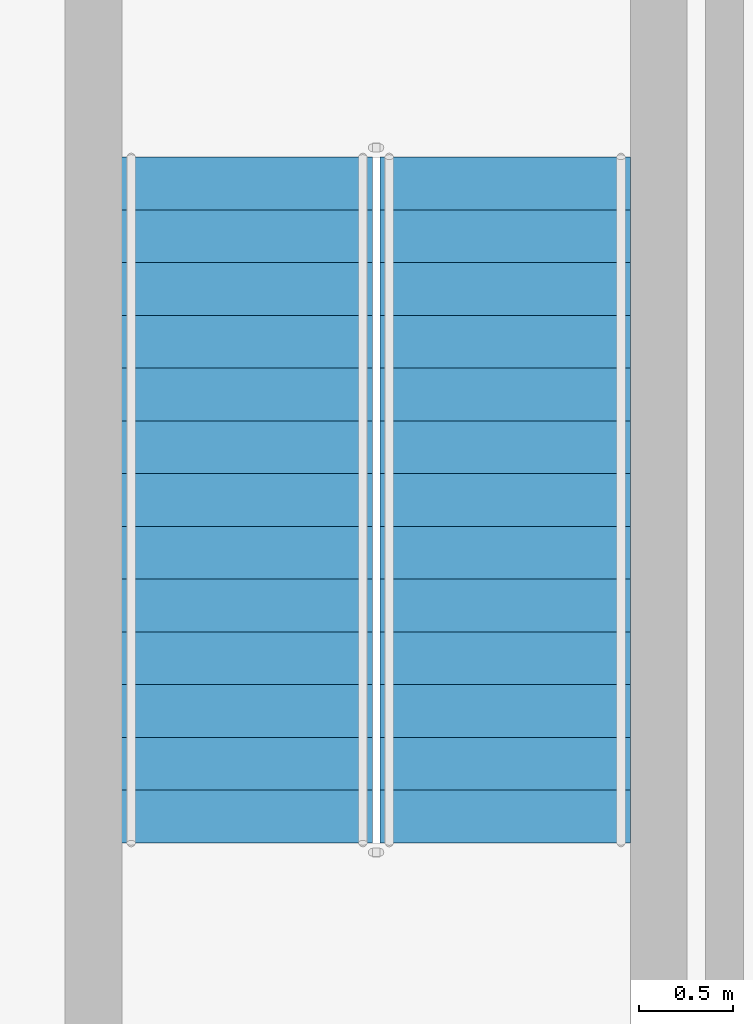
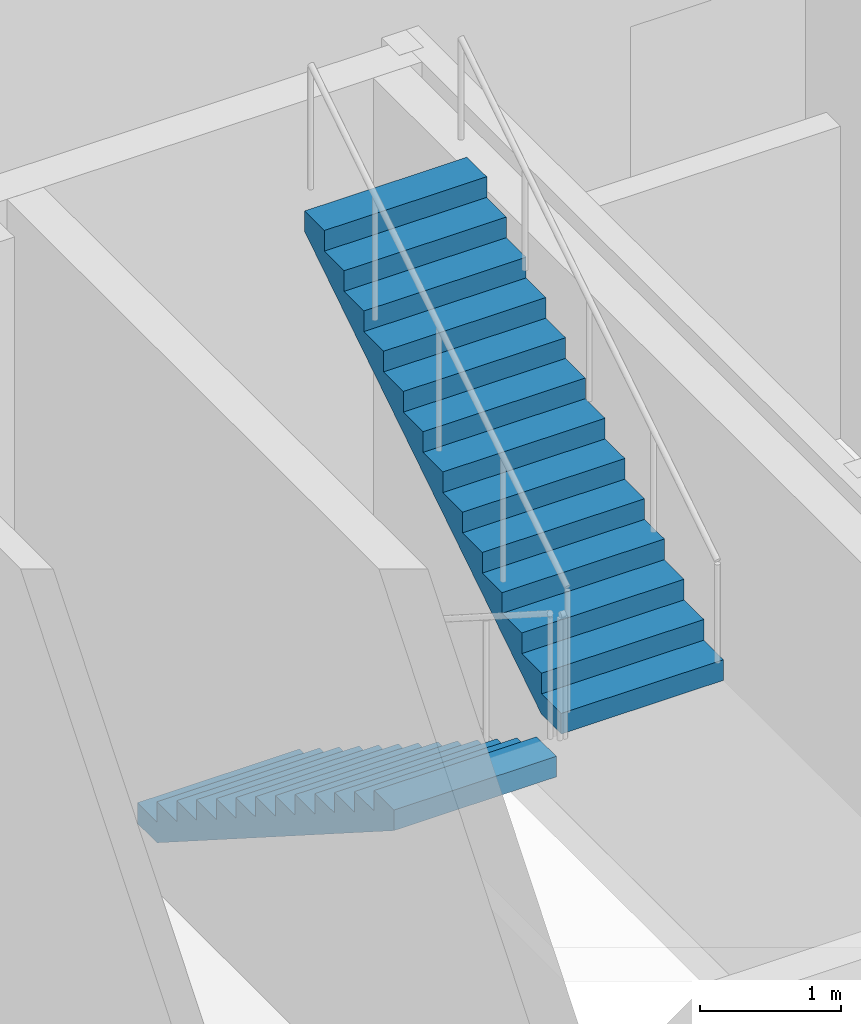
# One storey, part 19 of 33: 2 stair flights, 1 element without a shape of its own.
"""IFC4 building model written with IfcOpenShell, lengths in metres."""

from ifc_helpers import new_model, si_unit, direction, frame, origin, place, context, subcontext, project, spatial, triangles, source, transform, mapped, material, type_object, element, aggregate, save


model = new_model("IFC4")

# Units and contexts
model_context = context("Model", 3, precision=1e-05, world=origin(), true_north=direction((0.0, 1.0)))
body_context = subcontext(model_context, "Body", "Model", "MODEL_VIEW")
ifc_project = project(units=[si_unit("LENGTHUNIT", "METRE"), si_unit("AREAUNIT", "SQUARE_METRE"), si_unit("VOLUMEUNIT", "CUBIC_METRE"), si_unit("PLANEANGLEUNIT", "RADIAN"), si_unit("MASSUNIT", "GRAM", prefix="KILO")], contexts=[model_context])

# Site, building, storey
site_placement = place(None, origin())
site = spatial("IfcSite", under=ifc_project, at=site_placement, CompositionType="ELEMENT")
building_placement = place(site_placement, origin())
building = spatial("IfcBuilding", under=site, at=building_placement, Name="Ogive Portal Towers", CompositionType="ELEMENT")
storey_placement = place(building_placement, frame((0.0, 0.0, 28.5)))
storey = spatial("IfcBuildingStorey", under=building, at=storey_placement, Name="L05", CompositionType="ELEMENT", Elevation=28.5)

# Stair, stair flights
ifc_material = material(Name="Concrete C40/50", Category="concrete")
stair_type = type_object("IfcStairType", Name="INT-STAIR", PredefinedType="HALF_TURN_STAIR", material=ifc_material)
stair_placement = place(storey_placement, origin())
stair = element("IfcStair", 1, at=stair_placement, inside=storey, type_object=stair_type, Name="L05 Exit Stair ST-A4", PredefinedType="HALF_TURN_STAIR")
stair_flight_type = type_object("IfcStairFlightType", Name="INT-FLIGHT", PredefinedType="STRAIGHT", material=ifc_material)
shared_shape = source(origin(), body_context, "Body", "Tessellation", [
    triangles([(0.0, -0.6650390625, 0.0), (0.0, -0.384765625, 0.0), (0.0, -0.197021484375, 0.0), (0.0, -0.0830078125, 0.0), (0.0, -0.024658203125, 0.0), (0.0, -0.003173828125, 0.0), (0.0, 0.0, 0.0), (0.0, 0.003173828125, 0.0), (0.0, 0.024658203125, 0.0), (0.0, 0.0830078125, 0.0), (0.0, 0.197021484375, 0.0), (0.0, 0.384765625, 0.0), (0.0, 0.6650390625, 0.0), (0.0, -0.6650390625, 0.178466796875), (0.0, -0.384765625, 0.178466796875), (0.0, -0.197021484375, 0.178466796875), (0.0, -0.0830078125, 0.178466796875), (0.0, -0.024658203125, 0.178466796875), (0.0, -0.003173828125, 0.178466796875), (0.0, 0.0, 0.178466796875), (0.0, 0.003173828125, 0.178466796875), (0.0, 0.024658203125, 0.178466796875), (0.0, 0.0830078125, 0.178466796875), (0.0, 0.197021484375, 0.178466796875), (0.0, 0.384765625, 0.178466796875), (0.0, 0.6650390625, 0.178466796875), (0.280029296875, -0.6650390625, 0.178466796875), (0.280029296875, -0.384765625, 0.178466796875), (0.280029296875, -0.197021484375, 0.178466796875), (0.280029296875, -0.0830078125, 0.178466796875), (0.280029296875, -0.024658203125, 0.178466796875), (0.280029296875, -0.003173828125, 0.178466796875), (0.280029296875, 0.0, 0.178466796875), (0.280029296875, 0.003173828125, 0.178466796875), (0.280029296875, 0.024658203125, 0.178466796875), (0.280029296875, 0.0830078125, 0.178466796875), (0.280029296875, 0.197021484375, 0.178466796875), (0.280029296875, 0.384765625, 0.178466796875), (0.280029296875, 0.6650390625, 0.178466796875), (0.280029296875, -0.6650390625, 0.357177734375), (0.280029296875, -0.384765625, 0.357177734375), (0.280029296875, -0.197021484375, 0.357177734375), (0.280029296875, -0.0830078125, 0.357177734375), (0.280029296875, -0.024658203125, 0.357177734375), (0.280029296875, -0.003173828125, 0.357177734375), (0.280029296875, 0.0, 0.357177734375), (0.280029296875, 0.003173828125, 0.357177734375), (0.280029296875, 0.024658203125, 0.357177734375), (0.280029296875, 0.0830078125, 0.357177734375), (0.280029296875, 0.197021484375, 0.357177734375), (0.280029296875, 0.384765625, 0.357177734375), (0.280029296875, 0.6650390625, 0.357177734375), (0.56005859375, -0.6650390625, 0.357177734375), (0.56005859375, -0.384765625, 0.357177734375), (0.56005859375, -0.197021484375, 0.357177734375), (0.56005859375, -0.0830078125, 0.357177734375), (0.56005859375, -0.024658203125, 0.357177734375), (0.56005859375, -0.003173828125, 0.357177734375), (0.56005859375, 0.0, 0.357177734375), (0.56005859375, 0.003173828125, 0.357177734375), (0.56005859375, 0.024658203125, 0.357177734375), (0.56005859375, 0.0830078125, 0.357177734375), (0.56005859375, 0.197021484375, 0.357177734375), (0.56005859375, 0.384765625, 0.357177734375), (0.56005859375, 0.6650390625, 0.357177734375), (0.56005859375, -0.6650390625, 0.53564453125), (0.56005859375, -0.384765625, 0.53564453125), (0.56005859375, -0.197021484375, 0.53564453125), (0.56005859375, -0.0830078125, 0.53564453125), (0.56005859375, -0.024658203125, 0.53564453125), (0.56005859375, -0.003173828125, 0.53564453125), (0.56005859375, 0.0, 0.53564453125), (0.56005859375, 0.003173828125, 0.53564453125), (0.56005859375, 0.024658203125, 0.53564453125), (0.56005859375, 0.0830078125, 0.53564453125), (0.56005859375, 0.197021484375, 0.53564453125), (0.56005859375, 0.384765625, 0.53564453125), (0.56005859375, 0.6650390625, 0.53564453125), (0.840087890625, -0.6650390625, 0.53564453125), (0.840087890625, -0.384765625, 0.53564453125), (0.840087890625, -0.197021484375, 0.53564453125), (0.840087890625, -0.0830078125, 0.53564453125), (0.840087890625, -0.024658203125, 0.53564453125), (0.840087890625, -0.003173828125, 0.53564453125), (0.840087890625, 0.0, 0.53564453125), (0.840087890625, 0.003173828125, 0.53564453125), (0.840087890625, 0.024658203125, 0.53564453125), (0.840087890625, 0.0830078125, 0.53564453125), (0.840087890625, 0.197021484375, 0.53564453125), (0.840087890625, 0.384765625, 0.53564453125), (0.840087890625, 0.6650390625, 0.53564453125), (0.840087890625, -0.6650390625, 0.71435546875), (0.840087890625, -0.384765625, 0.71435546875), (0.840087890625, -0.197021484375, 0.71435546875), (0.840087890625, -0.0830078125, 0.71435546875), (0.840087890625, -0.024658203125, 0.71435546875), (0.840087890625, -0.003173828125, 0.71435546875), (0.840087890625, 0.0, 0.71435546875), (0.840087890625, 0.003173828125, 0.71435546875), (0.840087890625, 0.024658203125, 0.71435546875), (0.840087890625, 0.0830078125, 0.71435546875), (0.840087890625, 0.197021484375, 0.71435546875), (0.840087890625, 0.384765625, 0.71435546875), (0.840087890625, 0.6650390625, 0.71435546875), (1.1201171875, -0.6650390625, 0.71435546875), (1.1201171875, -0.384765625, 0.71435546875), (1.1201171875, -0.197021484375, 0.71435546875), (1.1201171875, -0.0830078125, 0.71435546875), (1.1201171875, -0.024658203125, 0.71435546875), (1.1201171875, -0.003173828125, 0.71435546875), (1.1201171875, 0.0, 0.71435546875), (1.1201171875, 0.003173828125, 0.71435546875), (1.1201171875, 0.024658203125, 0.71435546875), (1.1201171875, 0.0830078125, 0.71435546875), (1.1201171875, 0.197021484375, 0.71435546875), (1.1201171875, 0.384765625, 0.71435546875), (1.1201171875, 0.6650390625, 0.71435546875), (1.1201171875, -0.6650390625, 0.892822265625), (1.1201171875, -0.384765625, 0.892822265625), (1.1201171875, -0.197021484375, 0.892822265625), (1.1201171875, -0.0830078125, 0.892822265625), (1.1201171875, -0.024658203125, 0.892822265625), (1.1201171875, -0.003173828125, 0.892822265625), (1.1201171875, 0.0, 0.892822265625), (1.1201171875, 0.003173828125, 0.892822265625), (1.1201171875, 0.024658203125, 0.892822265625), (1.1201171875, 0.0830078125, 0.892822265625), (1.1201171875, 0.197021484375, 0.892822265625), (1.1201171875, 0.384765625, 0.892822265625), (1.1201171875, 0.6650390625, 0.892822265625), (1.39990234375, -0.6650390625, 0.892822265625), (1.39990234375, -0.384765625, 0.892822265625), (1.39990234375, -0.197021484375, 0.892822265625), (1.39990234375, -0.0830078125, 0.892822265625), (1.39990234375, -0.024658203125, 0.892822265625), (1.39990234375, -0.003173828125, 0.892822265625), (1.39990234375, 0.0, 0.892822265625), (1.39990234375, 0.003173828125, 0.892822265625), (1.39990234375, 0.024658203125, 0.892822265625), (1.39990234375, 0.0830078125, 0.892822265625), (1.39990234375, 0.197021484375, 0.892822265625), (1.39990234375, 0.384765625, 0.892822265625), (1.39990234375, 0.6650390625, 0.892822265625), (1.39990234375, -0.6650390625, 1.071533203125), (1.39990234375, -0.384765625, 1.071533203125), (1.39990234375, -0.197021484375, 1.071533203125), (1.39990234375, -0.0830078125, 1.071533203125), (1.39990234375, -0.024658203125, 1.071533203125), (1.39990234375, -0.003173828125, 1.071533203125), (1.39990234375, 0.0, 1.071533203125), (1.39990234375, 0.003173828125, 1.071533203125), (1.39990234375, 0.024658203125, 1.071533203125), (1.39990234375, 0.0830078125, 1.071533203125), (1.39990234375, 0.197021484375, 1.071533203125), (1.39990234375, 0.384765625, 1.071533203125), (1.39990234375, 0.6650390625, 1.071533203125), (1.679931640625, -0.6650390625, 1.071533203125), (1.679931640625, -0.384765625, 1.071533203125), (1.679931640625, -0.197021484375, 1.071533203125), (1.679931640625, -0.0830078125, 1.071533203125), (1.679931640625, -0.024658203125, 1.071533203125), (1.679931640625, -0.003173828125, 1.071533203125), (1.679931640625, 0.0, 1.071533203125), (1.679931640625, 0.003173828125, 1.071533203125), (1.679931640625, 0.024658203125, 1.071533203125), (1.679931640625, 0.0830078125, 1.071533203125), (1.679931640625, 0.197021484375, 1.071533203125), (1.679931640625, 0.384765625, 1.071533203125), (1.679931640625, 0.6650390625, 1.071533203125), (1.679931640625, -0.6650390625, 1.25), (1.679931640625, -0.384765625, 1.25), (1.679931640625, -0.197021484375, 1.25), (1.679931640625, -0.0830078125, 1.25), (1.679931640625, -0.024658203125, 1.25), (1.679931640625, -0.003173828125, 1.25), (1.679931640625, 0.0, 1.25), (1.679931640625, 0.003173828125, 1.25), (1.679931640625, 0.024658203125, 1.25), (1.679931640625, 0.0830078125, 1.25), (1.679931640625, 0.197021484375, 1.25), (1.679931640625, 0.384765625, 1.25), (1.679931640625, 0.6650390625, 1.25), (1.9599609375, -0.6650390625, 1.25), (1.9599609375, -0.384765625, 1.25), (1.9599609375, -0.197021484375, 1.25), (1.9599609375, -0.0830078125, 1.25), (1.9599609375, -0.024658203125, 1.25), (1.9599609375, -0.003173828125, 1.25), (1.9599609375, 0.0, 1.25), (1.9599609375, 0.003173828125, 1.25), (1.9599609375, 0.024658203125, 1.25), (1.9599609375, 0.0830078125, 1.25), (1.9599609375, 0.197021484375, 1.25), (1.9599609375, 0.384765625, 1.25), (1.9599609375, 0.6650390625, 1.25), (1.9599609375, -0.6650390625, 1.428466796875), (1.9599609375, -0.384765625, 1.428466796875), (1.9599609375, -0.197021484375, 1.428466796875), (1.9599609375, -0.0830078125, 1.428466796875), (1.9599609375, -0.024658203125, 1.428466796875), (1.9599609375, -0.003173828125, 1.428466796875), (1.9599609375, 0.0, 1.428466796875), (1.9599609375, 0.003173828125, 1.428466796875), (1.9599609375, 0.024658203125, 1.428466796875), (1.9599609375, 0.0830078125, 1.428466796875), (1.9599609375, 0.197021484375, 1.428466796875), (1.9599609375, 0.384765625, 1.428466796875), (1.9599609375, 0.6650390625, 1.428466796875), (2.239990234375, -0.6650390625, 1.428466796875), (2.239990234375, -0.384765625, 1.428466796875), (2.239990234375, -0.197021484375, 1.428466796875), (2.239990234375, -0.0830078125, 1.428466796875), (2.239990234375, -0.024658203125, 1.428466796875), (2.239990234375, -0.003173828125, 1.428466796875), (2.239990234375, 0.0, 1.428466796875), (2.239990234375, 0.003173828125, 1.428466796875), (2.239990234375, 0.024658203125, 1.428466796875), (2.239990234375, 0.0830078125, 1.428466796875), (2.239990234375, 0.197021484375, 1.428466796875), (2.239990234375, 0.384765625, 1.428466796875), (2.239990234375, 0.6650390625, 1.428466796875), (2.239990234375, -0.6650390625, 1.607177734375), (2.239990234375, -0.384765625, 1.607177734375), (2.239990234375, -0.197021484375, 1.607177734375), (2.239990234375, -0.0830078125, 1.607177734375), (2.239990234375, -0.024658203125, 1.607177734375), (2.239990234375, -0.003173828125, 1.607177734375), (2.239990234375, 0.0, 1.607177734375), (2.239990234375, 0.003173828125, 1.607177734375), (2.239990234375, 0.024658203125, 1.607177734375), (2.239990234375, 0.0830078125, 1.607177734375), (2.239990234375, 0.197021484375, 1.607177734375), (2.239990234375, 0.384765625, 1.607177734375), (2.239990234375, 0.6650390625, 1.607177734375), (2.52001953125, -0.6650390625, 1.607177734375), (2.52001953125, -0.384765625, 1.607177734375), (2.52001953125, -0.197021484375, 1.607177734375), (2.52001953125, -0.0830078125, 1.607177734375), (2.52001953125, -0.024658203125, 1.607177734375), (2.52001953125, -0.003173828125, 1.607177734375), (2.52001953125, 0.0, 1.607177734375), (2.52001953125, 0.003173828125, 1.607177734375), (2.52001953125, 0.024658203125, 1.607177734375), (2.52001953125, 0.0830078125, 1.607177734375), (2.52001953125, 0.197021484375, 1.607177734375), (2.52001953125, 0.384765625, 1.607177734375), (2.52001953125, 0.6650390625, 1.607177734375), (2.52001953125, -0.6650390625, 1.78564453125), (2.52001953125, -0.384765625, 1.78564453125), (2.52001953125, -0.197021484375, 1.78564453125), (2.52001953125, -0.0830078125, 1.78564453125), (2.52001953125, -0.024658203125, 1.78564453125), (2.52001953125, -0.003173828125, 1.78564453125), (2.52001953125, 0.0, 1.78564453125), (2.52001953125, 0.003173828125, 1.78564453125), (2.52001953125, 0.024658203125, 1.78564453125), (2.52001953125, 0.0830078125, 1.78564453125), (2.52001953125, 0.197021484375, 1.78564453125), (2.52001953125, 0.384765625, 1.78564453125), (2.52001953125, 0.6650390625, 1.78564453125), (2.800048828125, -0.6650390625, 1.78564453125), (2.800048828125, -0.384765625, 1.78564453125), (2.800048828125, -0.197021484375, 1.78564453125), (2.800048828125, -0.0830078125, 1.78564453125), (2.800048828125, -0.024658203125, 1.78564453125), (2.800048828125, -0.003173828125, 1.78564453125), (2.800048828125, 0.0, 1.78564453125), (2.800048828125, 0.003173828125, 1.78564453125), (2.800048828125, 0.024658203125, 1.78564453125), (2.800048828125, 0.0830078125, 1.78564453125), (2.800048828125, 0.197021484375, 1.78564453125), (2.800048828125, 0.384765625, 1.78564453125), (2.800048828125, 0.6650390625, 1.78564453125), (2.800048828125, -0.6650390625, 1.96435546875), (2.800048828125, -0.384765625, 1.96435546875), (2.800048828125, -0.197021484375, 1.96435546875), (2.800048828125, -0.0830078125, 1.96435546875), (2.800048828125, -0.024658203125, 1.96435546875), (2.800048828125, -0.003173828125, 1.96435546875), (2.800048828125, 0.0, 1.96435546875), (2.800048828125, 0.003173828125, 1.96435546875), (2.800048828125, 0.024658203125, 1.96435546875), (2.800048828125, 0.0830078125, 1.96435546875), (2.800048828125, 0.197021484375, 1.96435546875), (2.800048828125, 0.384765625, 1.96435546875), (2.800048828125, 0.6650390625, 1.96435546875), (3.080078125, -0.6650390625, 1.96435546875), (3.080078125, -0.384765625, 1.96435546875), (3.080078125, -0.197021484375, 1.96435546875), (3.080078125, -0.0830078125, 1.96435546875), (3.080078125, -0.024658203125, 1.96435546875), (3.080078125, -0.003173828125, 1.96435546875), (3.080078125, 0.0, 1.96435546875), (3.080078125, 0.003173828125, 1.96435546875), (3.080078125, 0.024658203125, 1.96435546875), (3.080078125, 0.0830078125, 1.96435546875), (3.080078125, 0.197021484375, 1.96435546875), (3.080078125, 0.384765625, 1.96435546875), (3.080078125, 0.6650390625, 1.96435546875), (3.080078125, -0.6650390625, 2.142822265625), (3.080078125, -0.384765625, 2.142822265625), (3.080078125, -0.197021484375, 2.142822265625), (3.080078125, -0.0830078125, 2.142822265625), (3.080078125, -0.024658203125, 2.142822265625), (3.080078125, -0.003173828125, 2.142822265625), (3.080078125, 0.0, 2.142822265625), (3.080078125, 0.003173828125, 2.142822265625), (3.080078125, 0.024658203125, 2.142822265625), (3.080078125, 0.0830078125, 2.142822265625), (3.080078125, 0.197021484375, 2.142822265625), (3.080078125, 0.384765625, 2.142822265625), (3.080078125, 0.6650390625, 2.142822265625), (3.360107421875, -0.6650390625, 2.142822265625), (3.360107421875, -0.384765625, 2.142822265625), (3.360107421875, -0.197021484375, 2.142822265625), (3.360107421875, -0.0830078125, 2.142822265625), (3.360107421875, -0.024658203125, 2.142822265625), (3.360107421875, -0.003173828125, 2.142822265625), (3.360107421875, 0.0, 2.142822265625), (3.360107421875, 0.003173828125, 2.142822265625), (3.360107421875, 0.024658203125, 2.142822265625), (3.360107421875, 0.0830078125, 2.142822265625), (3.360107421875, 0.197021484375, 2.142822265625), (3.360107421875, 0.384765625, 2.142822265625), (3.360107421875, 0.6650390625, 2.142822265625), (3.360107421875, -0.6650390625, 2.321533203125), (3.360107421875, -0.384765625, 2.321533203125), (3.360107421875, -0.197021484375, 2.321533203125), (3.360107421875, -0.0830078125, 2.321533203125), (3.360107421875, -0.024658203125, 2.321533203125), (3.360107421875, -0.003173828125, 2.321533203125), (3.360107421875, 0.0, 2.321533203125), (3.360107421875, 0.003173828125, 2.321533203125), (3.360107421875, 0.024658203125, 2.321533203125), (3.360107421875, 0.0830078125, 2.321533203125), (3.360107421875, 0.197021484375, 2.321533203125), (3.360107421875, 0.384765625, 2.321533203125), (3.360107421875, 0.6650390625, 2.321533203125), (3.639892578125, -0.6650390625, 2.321533203125), (3.639892578125, -0.384765625, 2.321533203125), (3.639892578125, -0.197021484375, 2.321533203125), (3.639892578125, -0.0830078125, 2.321533203125), (3.639892578125, -0.024658203125, 2.321533203125), (3.639892578125, -0.003173828125, 2.321533203125), (3.639892578125, 0.0, 2.321533203125), (3.639892578125, 0.003173828125, 2.321533203125), (3.639892578125, 0.024658203125, 2.321533203125), (3.639892578125, 0.0830078125, 2.321533203125), (3.639892578125, 0.197021484375, 2.321533203125), (3.639892578125, 0.384765625, 2.321533203125), (3.639892578125, 0.6650390625, 2.321533203125), (3.639892578125, -0.6650390625, 2.1435546875), (3.639892578125, -0.384765625, 2.1435546875), (3.639892578125, -0.197021484375, 2.1435546875), (3.639892578125, -0.0830078125, 2.1435546875), (3.639892578125, -0.024658203125, 2.1435546875), (3.639892578125, -0.003173828125, 2.1435546875), (3.639892578125, 0.0, 2.1435546875), (3.639892578125, 0.003173828125, 2.1435546875), (3.639892578125, 0.024658203125, 2.1435546875), (3.639892578125, 0.0830078125, 2.1435546875), (3.639892578125, 0.197021484375, 2.1435546875), (3.639892578125, 0.384765625, 2.1435546875), (3.639892578125, 0.6650390625, 2.1435546875), (0.27880859375, -0.6650390625, 0.0), (0.27880859375, -0.384765625, 0.0), (0.27880859375, -0.197021484375, 0.0), (0.27880859375, -0.0830078125, 0.0), (0.27880859375, -0.024658203125, 0.0), (0.27880859375, -0.003173828125, 0.0), (0.27880859375, 0.0, 0.0), (0.27880859375, 0.003173828125, 0.0), (0.27880859375, 0.024658203125, 0.0), (0.27880859375, 0.0830078125, 0.0), (0.27880859375, 0.197021484375, 0.0), (0.27880859375, 0.384765625, 0.0), (0.27880859375, 0.6650390625, 0.0)], [[1, 14, 15], [1, 15, 2], [2, 15, 16], [2, 16, 3], [3, 16, 17], [3, 17, 4], [4, 17, 18], [4, 18, 5], [5, 18, 19], [5, 19, 6], [6, 19, 20], [6, 20, 7], [7, 20, 21], [7, 21, 8], [8, 21, 22], [8, 22, 9], [9, 22, 23], [9, 23, 10], [10, 23, 24], [10, 24, 11], [11, 24, 25], [11, 25, 12], [12, 25, 26], [12, 26, 13], [14, 27, 28], [14, 28, 15], [15, 28, 29], [15, 29, 16], [16, 29, 30], [16, 30, 17], [17, 30, 31], [17, 31, 18], [18, 31, 32], [18, 32, 19], [19, 32, 33], [19, 33, 20], [20, 33, 34], [20, 34, 21], [21, 34, 35], [21, 35, 22], [22, 35, 36], [22, 36, 23], [23, 36, 37], [23, 37, 24], [24, 37, 38], [24, 38, 25], [25, 38, 39], [25, 39, 26], [27, 40, 41], [27, 41, 28], [28, 41, 42], [28, 42, 29], [29, 42, 43], [29, 43, 30], [30, 43, 44], [30, 44, 31], [31, 44, 45], [31, 45, 32], [32, 45, 46], [32, 46, 33], [33, 46, 47], [33, 47, 34], [34, 47, 48], [34, 48, 35], [35, 48, 49], [35, 49, 36], [36, 49, 50], [36, 50, 37], [37, 50, 51], [37, 51, 38], [38, 51, 52], [38, 52, 39], [40, 53, 54], [40, 54, 41], [41, 54, 55], [41, 55, 42], [42, 55, 56], [42, 56, 43], [43, 56, 57], [43, 57, 44], [44, 57, 58], [44, 58, 45], [45, 58, 59], [45, 59, 46], [46, 59, 60], [46, 60, 47], [47, 60, 61], [47, 61, 48], [48, 61, 62], [48, 62, 49], [49, 62, 63], [49, 63, 50], [50, 63, 64], [50, 64, 51], [51, 64, 65], [51, 65, 52], [53, 66, 67], [53, 67, 54], [54, 67, 68], [54, 68, 55], [55, 68, 69], [55, 69, 56], [56, 69, 70], [56, 70, 57], [57, 70, 71], [57, 71, 58], [58, 71, 72], [58, 72, 59], [59, 72, 73], [59, 73, 60], [60, 73, 74], [60, 74, 61], [61, 74, 75], [61, 75, 62], [62, 75, 76], [62, 76, 63], [63, 76, 77], [63, 77, 64], [64, 77, 78], [64, 78, 65], [66, 79, 80], [66, 80, 67], [67, 80, 81], [67, 81, 68], [68, 81, 82], [68, 82, 69], [69, 82, 83], [69, 83, 70], [70, 83, 84], [70, 84, 71], [71, 84, 85], [71, 85, 72], [72, 85, 86], [72, 86, 73], [73, 86, 87], [73, 87, 74], [74, 87, 88], [74, 88, 75], [75, 88, 89], [75, 89, 76], [76, 89, 90], [76, 90, 77], [77, 90, 91], [77, 91, 78], [79, 92, 93], [79, 93, 80], [80, 93, 94], [80, 94, 81], [81, 94, 95], [81, 95, 82], [82, 95, 96], [82, 96, 83], [83, 96, 97], [83, 97, 84], [84, 97, 98], [84, 98, 85], [85, 98, 99], [85, 99, 86], [86, 99, 100], [86, 100, 87], [87, 100, 101], [87, 101, 88], [88, 101, 102], [88, 102, 89], [89, 102, 103], [89, 103, 90], [90, 103, 104], [90, 104, 91], [92, 105, 106], [92, 106, 93], [93, 106, 107], [93, 107, 94], [94, 107, 108], [94, 108, 95], [95, 108, 109], [95, 109, 96], [96, 109, 110], [96, 110, 97], [97, 110, 111], [97, 111, 98], [98, 111, 112], [98, 112, 99], [99, 112, 113], [99, 113, 100], [100, 113, 114], [100, 114, 101], [101, 114, 115], [101, 115, 102], [102, 115, 116], [102, 116, 103], [103, 116, 117], [103, 117, 104], [105, 118, 119], [105, 119, 106], [106, 119, 120], [106, 120, 107], [107, 120, 121], [107, 121, 108], [108, 121, 122], [108, 122, 109], [109, 122, 123], [109, 123, 110], [110, 123, 124], [110, 124, 111], [111, 124, 125], [111, 125, 112], [112, 125, 126], [112, 126, 113], [113, 126, 127], [113, 127, 114], [114, 127, 128], [114, 128, 115], [115, 128, 129], [115, 129, 116], [116, 129, 130], [116, 130, 117], [118, 131, 132], [118, 132, 119], [119, 132, 133], [119, 133, 120], [120, 133, 134], [120, 134, 121], [121, 134, 135], [121, 135, 122], [122, 135, 136], [122, 136, 123], [123, 136, 137], [123, 137, 124], [124, 137, 138], [124, 138, 125], [125, 138, 139], [125, 139, 126], [126, 139, 140], [126, 140, 127], [127, 140, 141], [127, 141, 128], [128, 141, 142], [128, 142, 129], [129, 142, 143], [129, 143, 130], [131, 144, 145], [131, 145, 132], [132, 145, 146], [132, 146, 133], [133, 146, 147], [133, 147, 134], [134, 147, 148], [134, 148, 135], [135, 148, 149], [135, 149, 136], [136, 149, 150], [136, 150, 137], [137, 150, 151], [137, 151, 138], [138, 151, 152], [138, 152, 139], [139, 152, 153], [139, 153, 140], [140, 153, 154], [140, 154, 141], [141, 154, 155], [141, 155, 142], [142, 155, 156], [142, 156, 143], [144, 157, 158], [144, 158, 145], [145, 158, 159], [145, 159, 146], [146, 159, 160], [146, 160, 147], [147, 160, 161], [147, 161, 148], [148, 161, 162], [148, 162, 149], [149, 162, 163], [149, 163, 150], [150, 163, 164], [150, 164, 151], [151, 164, 165], [151, 165, 152], [152, 165, 166], [152, 166, 153], [153, 166, 167], [153, 167, 154], [154, 167, 168], [154, 168, 155], [155, 168, 169], [155, 169, 156], [157, 170, 171], [157, 171, 158], [158, 171, 172], [158, 172, 159], [159, 172, 173], [159, 173, 160], [160, 173, 174], [160, 174, 161], [161, 174, 175], [161, 175, 162], [162, 175, 176], [162, 176, 163], [163, 176, 177], [163, 177, 164], [164, 177, 178], [164, 178, 165], [165, 178, 179], [165, 179, 166], [166, 179, 180], [166, 180, 167], [167, 180, 181], [167, 181, 168], [168, 181, 182], [168, 182, 169], [170, 183, 184], [170, 184, 171], [171, 184, 185], [171, 185, 172], [172, 185, 186], [172, 186, 173], [173, 186, 187], [173, 187, 174], [174, 187, 188], [174, 188, 175], [175, 188, 189], [175, 189, 176], [176, 189, 190], [176, 190, 177], [177, 190, 191], [177, 191, 178], [178, 191, 192], [178, 192, 179], [179, 192, 193], [179, 193, 180], [180, 193, 194], [180, 194, 181], [181, 194, 195], [181, 195, 182], [183, 196, 197], [183, 197, 184], [184, 197, 198], [184, 198, 185], [185, 198, 199], [185, 199, 186], [186, 199, 200], [186, 200, 187], [187, 200, 201], [187, 201, 188], [188, 201, 202], [188, 202, 189], [189, 202, 203], [189, 203, 190], [190, 203, 204], [190, 204, 191], [191, 204, 205], [191, 205, 192], [192, 205, 206], [192, 206, 193], [193, 206, 207], [193, 207, 194], [194, 207, 208], [194, 208, 195], [196, 209, 210], [196, 210, 197], [197, 210, 211], [197, 211, 198], [198, 211, 212], [198, 212, 199], [199, 212, 213], [199, 213, 200], [200, 213, 214], [200, 214, 201], [201, 214, 215], [201, 215, 202], [202, 215, 216], [202, 216, 203], [203, 216, 217], [203, 217, 204], [204, 217, 218], [204, 218, 205], [205, 218, 219], [205, 219, 206], [206, 219, 220], [206, 220, 207], [207, 220, 221], [207, 221, 208], [209, 222, 223], [209, 223, 210], [210, 223, 224], [210, 224, 211], [211, 224, 225], [211, 225, 212], [212, 225, 226], [212, 226, 213], [213, 226, 227], [213, 227, 214], [214, 227, 228], [214, 228, 215], [215, 228, 229], [215, 229, 216], [216, 229, 230], [216, 230, 217], [217, 230, 231], [217, 231, 218], [218, 231, 232], [218, 232, 219], [219, 232, 233], [219, 233, 220], [220, 233, 234], [220, 234, 221], [222, 235, 236], [222, 236, 223], [223, 236, 237], [223, 237, 224], [224, 237, 238], [224, 238, 225], [225, 238, 239], [225, 239, 226], [226, 239, 240], [226, 240, 227], [227, 240, 241], [227, 241, 228], [228, 241, 242], [228, 242, 229], [229, 242, 243], [229, 243, 230], [230, 243, 244], [230, 244, 231], [231, 244, 245], [231, 245, 232], [232, 245, 246], [232, 246, 233], [233, 246, 247], [233, 247, 234], [235, 248, 249], [235, 249, 236], [236, 249, 250], [236, 250, 237], [237, 250, 251], [237, 251, 238], [238, 251, 252], [238, 252, 239], [239, 252, 253], [239, 253, 240], [240, 253, 254], [240, 254, 241], [241, 254, 255], [241, 255, 242], [242, 255, 256], [242, 256, 243], [243, 256, 257], [243, 257, 244], [244, 257, 258], [244, 258, 245], [245, 258, 259], [245, 259, 246], [246, 259, 260], [246, 260, 247], [248, 261, 262], [248, 262, 249], [249, 262, 263], [249, 263, 250], [250, 263, 264], [250, 264, 251], [251, 264, 265], [251, 265, 252], [252, 265, 266], [252, 266, 253], [253, 266, 267], [253, 267, 254], [254, 267, 268], [254, 268, 255], [255, 268, 269], [255, 269, 256], [256, 269, 270], [256, 270, 257], [257, 270, 271], [257, 271, 258], [258, 271, 272], [258, 272, 259], [259, 272, 273], [259, 273, 260], [261, 274, 275], [261, 275, 262], [262, 275, 276], [262, 276, 263], [263, 276, 277], [263, 277, 264], [264, 277, 278], [264, 278, 265], [265, 278, 279], [265, 279, 266], [266, 279, 280], [266, 280, 267], [267, 280, 281], [267, 281, 268], [268, 281, 282], [268, 282, 269], [269, 282, 283], [269, 283, 270], [270, 283, 284], [270, 284, 271], [271, 284, 285], [271, 285, 272], [272, 285, 286], [272, 286, 273], [274, 287, 288], [274, 288, 275], [275, 288, 289], [275, 289, 276], [276, 289, 290], [276, 290, 277], [277, 290, 291], [277, 291, 278], [278, 291, 292], [278, 292, 279], [279, 292, 293], [279, 293, 280], [280, 293, 294], [280, 294, 281], [281, 294, 295], [281, 295, 282], [282, 295, 296], [282, 296, 283], [283, 296, 297], [283, 297, 284], [284, 297, 298], [284, 298, 285], [285, 298, 299], [285, 299, 286], [287, 300, 301], [287, 301, 288], [288, 301, 302], [288, 302, 289], [289, 302, 303], [289, 303, 290], [290, 303, 304], [290, 304, 291], [291, 304, 305], [291, 305, 292], [292, 305, 306], [292, 306, 293], [293, 306, 307], [293, 307, 294], [294, 307, 308], [294, 308, 295], [295, 308, 309], [295, 309, 296], [296, 309, 310], [296, 310, 297], [297, 310, 311], [297, 311, 298], [298, 311, 312], [298, 312, 299], [300, 313, 314], [300, 314, 301], [301, 314, 315], [301, 315, 302], [302, 315, 316], [302, 316, 303], [303, 316, 317], [303, 317, 304], [304, 317, 318], [304, 318, 305], [305, 318, 319], [305, 319, 306], [306, 319, 320], [306, 320, 307], [307, 320, 321], [307, 321, 308], [308, 321, 322], [308, 322, 309], [309, 322, 323], [309, 323, 310], [310, 323, 324], [310, 324, 311], [311, 324, 325], [311, 325, 312], [313, 326, 327], [313, 327, 314], [314, 327, 328], [314, 328, 315], [315, 328, 329], [315, 329, 316], [316, 329, 330], [316, 330, 317], [317, 330, 331], [317, 331, 318], [318, 331, 332], [318, 332, 319], [319, 332, 333], [319, 333, 320], [320, 333, 334], [320, 334, 321], [321, 334, 335], [321, 335, 322], [322, 335, 336], [322, 336, 323], [323, 336, 337], [323, 337, 324], [324, 337, 338], [324, 338, 325], [326, 339, 340], [326, 340, 327], [327, 340, 341], [327, 341, 328], [328, 341, 342], [328, 342, 329], [329, 342, 343], [329, 343, 330], [330, 343, 344], [330, 344, 331], [331, 344, 345], [331, 345, 332], [332, 345, 346], [332, 346, 333], [333, 346, 347], [333, 347, 334], [334, 347, 348], [334, 348, 335], [335, 348, 349], [335, 349, 336], [336, 349, 350], [336, 350, 337], [337, 350, 351], [337, 351, 338], [339, 352, 353], [339, 353, 340], [340, 353, 354], [340, 354, 341], [341, 354, 355], [341, 355, 342], [342, 355, 356], [342, 356, 343], [343, 356, 357], [343, 357, 344], [344, 357, 358], [344, 358, 345], [345, 358, 359], [345, 359, 346], [346, 359, 360], [346, 360, 347], [347, 360, 361], [347, 361, 348], [348, 361, 362], [348, 362, 349], [349, 362, 363], [349, 363, 350], [350, 363, 364], [350, 364, 351], [352, 365, 366], [352, 366, 353], [353, 366, 367], [353, 367, 354], [354, 367, 368], [354, 368, 355], [355, 368, 369], [355, 369, 356], [356, 369, 370], [356, 370, 357], [357, 370, 371], [357, 371, 358], [358, 371, 372], [358, 372, 359], [359, 372, 373], [359, 373, 360], [360, 373, 374], [360, 374, 361], [361, 374, 375], [361, 375, 362], [362, 375, 376], [362, 376, 363], [363, 376, 377], [363, 377, 364], [365, 1, 2], [365, 2, 366], [366, 2, 3], [366, 3, 367], [367, 3, 4], [367, 4, 368], [368, 4, 5], [368, 5, 369], [369, 5, 6], [369, 6, 370], [370, 6, 7], [370, 7, 371], [371, 7, 8], [371, 8, 372], [372, 8, 9], [372, 9, 373], [373, 9, 10], [373, 10, 374], [374, 10, 11], [374, 11, 375], [375, 11, 12], [375, 12, 376], [376, 12, 13], [376, 13, 377], [1, 365, 352], [13, 364, 377], [352, 339, 326], [364, 338, 351], [352, 326, 313], [364, 325, 338], [313, 300, 287], [325, 299, 312], [352, 313, 287], [364, 299, 325], [287, 274, 261], [299, 273, 286], [352, 287, 261], [364, 273, 299], [261, 248, 235], [273, 247, 260], [352, 261, 235], [364, 247, 273], [235, 222, 209], [247, 221, 234], [352, 235, 209], [364, 221, 247], [209, 196, 183], [221, 195, 208], [352, 209, 183], [364, 195, 221], [183, 170, 157], [195, 169, 182], [352, 183, 157], [364, 169, 195], [157, 144, 131], [169, 143, 156], [352, 157, 131], [364, 143, 169], [131, 118, 105], [143, 117, 130], [352, 131, 105], [364, 117, 143], [105, 92, 79], [117, 91, 104], [352, 105, 79], [364, 91, 117], [79, 66, 53], [91, 65, 78], [352, 79, 53], [364, 65, 91], [53, 40, 27], [65, 39, 52], [352, 53, 27], [364, 39, 65], [1, 352, 27], [13, 39, 364], [27, 14, 1], [39, 13, 26]], closed=True),
])
stair_flight_1_placement = place(storey_placement, frame((87.6650390625, 29.169921875, 0.0), z_axis=(0.0, 0.0, 1.0), x_axis=(0.0, -1.0, 0.0)))
stair_flight_1 = element("IfcStairFlight", 2, at=stair_flight_1_placement, type_object=stair_flight_type, Name="ST-A4 flight 1", NumberOfRisers=14, NumberOfTreads=13, PredefinedType="STRAIGHT", RiserHeight=0.178571429, TreadLength=0.28, context=body_context, shape_type="MappedRepresentation", body=[
    mapped(shared_shape, transform((0.0, 0.0, 0.0), scale=1.0)),
])
stair_flight_2_placement = place(storey_placement, frame((89.034912109375, 25.530029296875, 2.5), z_axis=(0.0, 0.0, 1.0), x_axis=(0.0, 1.0, 0.0)))
stair_flight_2 = element("IfcStairFlight", 3, at=stair_flight_2_placement, type_object=stair_flight_type, Name="ST-A4 flight 2", NumberOfRisers=14, NumberOfTreads=13, PredefinedType="STRAIGHT", RiserHeight=0.178571429, TreadLength=0.28, context=body_context, shape_type="MappedRepresentation", body=[
    mapped(shared_shape, transform((0.0, 0.0, 0.0), scale=1.0)),
])
aggregate(stair, [stair_flight_1, stair_flight_2])

save(model, "model.ifc")
